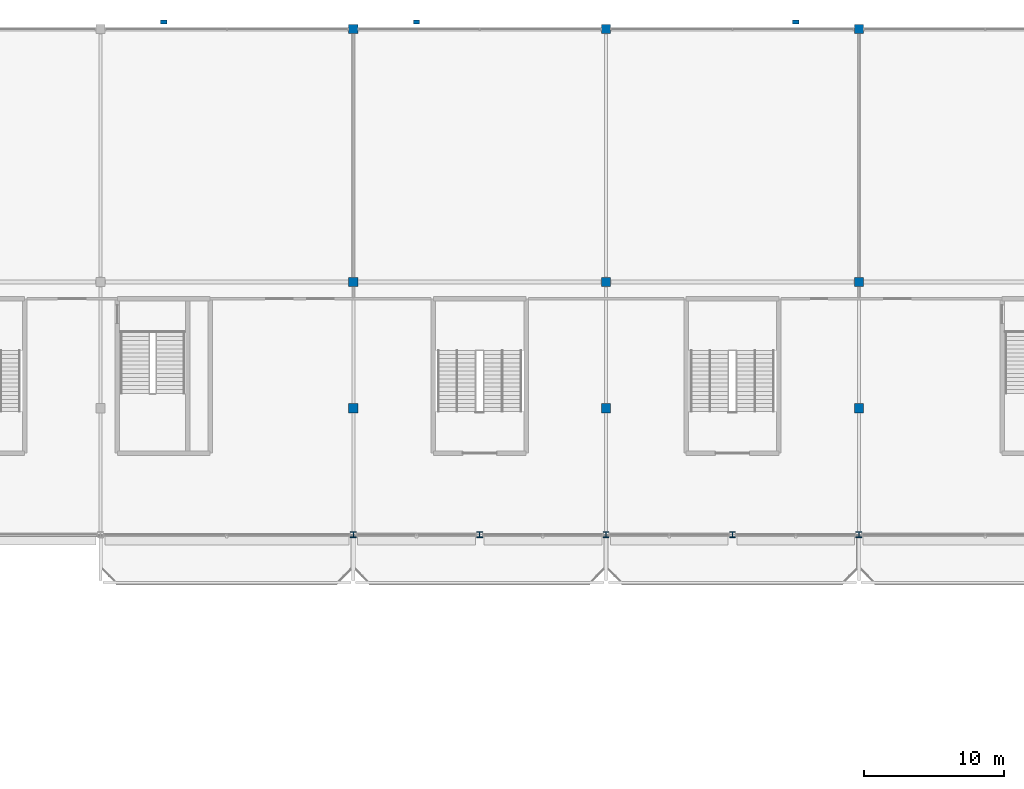
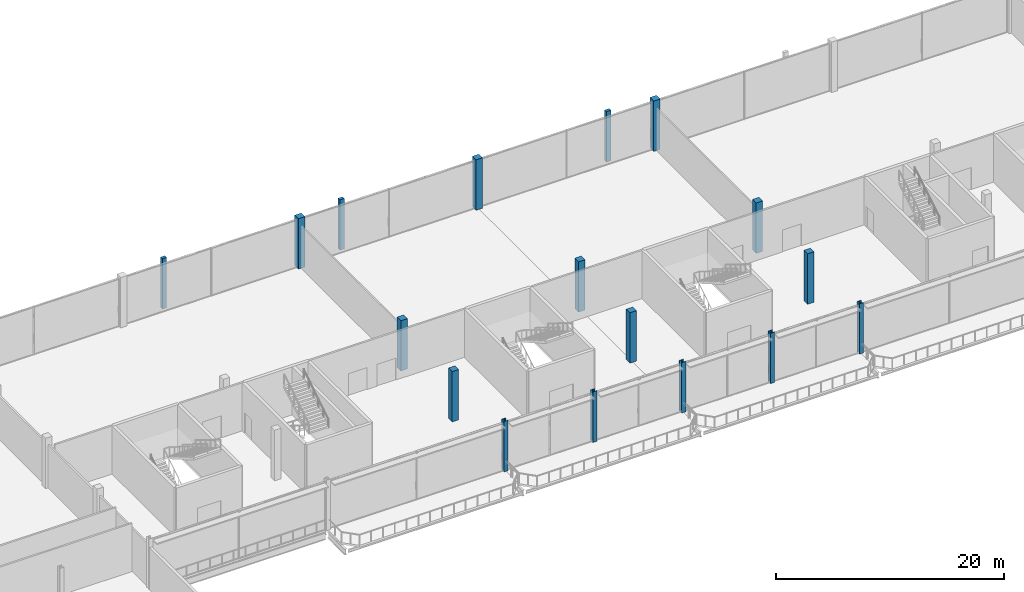
# One storey, part 6 of 113: 17 columns.
"""IFC4 building model written with IfcOpenShell, lengths in metres."""

from ifc_helpers import new_model, si_unit, direction, frame, origin, origin_2d, place, context, subcontext, project, spatial, rectangle, i_section, extrude, material, material_profile, profile_set, type_object, element, save


model = new_model("IFC4")

# Units and contexts
model_context = context("Model", 3, precision=1e-05, world=origin(), true_north=direction((0.0, 1.0)))
body_context = subcontext(model_context, "Body", "Model", "MODEL_VIEW")
ifc_project = project(units=[si_unit("LENGTHUNIT", "METRE"), si_unit("AREAUNIT", "SQUARE_METRE"), si_unit("VOLUMEUNIT", "CUBIC_METRE"), si_unit("PLANEANGLEUNIT", "RADIAN"), si_unit("MASSUNIT", "GRAM", prefix="KILO")], contexts=[model_context])

# Site, building, storey
site_placement = place(None, origin())
site = spatial("IfcSite", under=ifc_project, at=site_placement, CompositionType="ELEMENT")
building_placement = place(site_placement, origin())
building = spatial("IfcBuilding", under=site, at=building_placement, Name="Kisiwana Market Hall", CompositionType="ELEMENT")
storey_placement = place(building_placement, frame((0.0, 0.0, 6.0)))
storey = spatial("IfcBuildingStorey", under=building, at=storey_placement, Name="L01", CompositionType="ELEMENT", Elevation=6.0)

# Columns
ifc_material_1 = material(Name="Concrete C40/50", Category="concrete")
ifc_material_profile_1 = material_profile(ifc_material_1, rectangle(XDim=0.64990234375, YDim=0.64990234375, at=origin_2d()), Name="RC 650x650")
ifc_profile_set_1 = profile_set([ifc_material_profile_1], Name="Concrete C40/50")
column_type_1 = type_object("IfcColumnType", Name="COL-RC-POD-650", PredefinedType="COLUMN", material=ifc_profile_set_1)
for number, where, z_axis, x_axis, name in (
    (1, (81.0, 93.0, 0.0), (0.0, 0.0, 1.0), (1.0, 0.0, 0.0), "Column M/10 (L01) C-0418"),
    (2, (81.0, 102.0, 0.0), (0.0, 0.0, 1.0), (1.0, 0.0, 0.0), "Column N/10 (L01) C-0419"),
    (3, (81.0, 120.0, 0.0), (0.0, 0.0, 1.0), (1.0, 0.0, 0.0), "Column Q/10 (L01) C-0420"),
    (4, (99.0, 93.0, 0.0), (0.0, 0.0, 1.0), (1.0, 0.0, 0.0), "Column M/12 (L01) C-0428"),
    (5, (99.0, 102.0, 0.0), (0.0, 0.0, 1.0), (1.0, 0.0, 0.0), "Column N/12 (L01) C-0429"),
    (6, (99.0, 120.0, 0.0), (0.0, 0.0, 1.0), (1.0, 0.0, 0.0), "Column Q/12 (L01) C-0430"),
    (7, (117.0, 93.0, 0.0), (0.0, 0.0, 1.0), (1.0, 0.0, 0.0), "Column M/14 (L01) C-0438"),
    (8, (117.0, 102.0, 0.0), (0.0, 0.0, 1.0), (1.0, 0.0, 0.0), "Column N/14 (L01) C-0439"),
    (9, (117.0, 120.0, 0.0), (0.0, 0.0, 1.0), (1.0, 0.0, 0.0), "Column Q/14 (L01) C-0440"),
):
    element("IfcColumn", number, at=place(storey_placement, frame(where, z_axis=z_axis, x_axis=x_axis)), inside=storey, type_object=column_type_1, Name=name, PredefinedType="COLUMN", context=body_context, shape_type="SweptSolid", body=[
        extrude(rectangle(XDim=0.64990234375, YDim=0.64990234375, at=origin_2d()), origin(), (0.0, 0.0, 1.0), 5.39990234375),
    ])
ifc_material_2 = material(Name="Steel S355", Category="steel")
ifc_material_profile_2 = material_profile(ifc_material_2, i_section(OverallWidth=0.412109375, OverallDepth=0.43505859375, WebThickness=0.035888671875, FlangeThickness=0.05810546875, at=origin_2d()), Name="HD 400x463")
ifc_profile_set_2 = profile_set([ifc_material_profile_2], Name="Steel S355")
column_type_2 = type_object("IfcColumnType", Name="COL-STL-HD463", PredefinedType="COLUMN", material=ifc_profile_set_2)
for number, where, z_axis, x_axis, name in (
    (10, (81.0, 84.0, 0.0), (0.0, 0.0, 1.0), (1.0, 0.0, 0.0), "Column L/10 (L01) C-0417"),
    (11, (90.0, 84.0, 0.0), (0.0, 0.0, 1.0), (1.0, 0.0, 0.0), "Column L/11 (L01) C-0422"),
    (12, (99.0, 84.0, 0.0), (0.0, 0.0, 1.0), (1.0, 0.0, 0.0), "Column L/12 (L01) C-0427"),
    (13, (108.0, 84.0, 0.0), (0.0, 0.0, 1.0), (1.0, 0.0, 0.0), "Column L/13 (L01) C-0432"),
    (14, (117.0, 84.0, 0.0), (0.0, 0.0, 1.0), (1.0, 0.0, 0.0), "Column L/14 (L01) C-0437"),
):
    element("IfcColumn", number, at=place(storey_placement, frame(where, z_axis=z_axis, x_axis=x_axis)), inside=storey, type_object=column_type_2, Name=name, PredefinedType="COLUMN", context=body_context, shape_type="SweptSolid", body=[
        extrude(i_section(OverallWidth=0.412109375, OverallDepth=0.43505859375, WebThickness=0.035888671875, FlangeThickness=0.05810546875, at=origin_2d()), origin(), (0.0, 0.0, 1.0), 5.39990234375),
    ])
ifc_material_3 = material(Name="Concrete C40/50", Category="concrete")
ifc_material_profile_3 = material_profile(ifc_material_3, rectangle(XDim=0.449951171875, YDim=0.300048828125, at=origin_2d()), Name="PIL 450x300")
ifc_profile_set_3 = profile_set([ifc_material_profile_3], Name="Concrete C40/50")
column_type_3 = type_object("IfcColumnType", Name="PIL-CONC-450", PredefinedType="PILASTER", material=ifc_profile_set_3)
for number, where, z_axis, x_axis, name in (
    (15, (67.5, 120.5, 0.0), (0.0, 0.0, 1.0), (1.0, 0.0, 0.0), "Facade pilaster Q/8 (L01) C-0501"),
    (16, (85.5, 120.5, 0.0), (0.0, 0.0, 1.0), (1.0, 0.0, 0.0), "Facade pilaster Q/10 (L01) C-0502"),
    (17, (112.5, 120.5, 0.0), (0.0, 0.0, 1.0), (1.0, 0.0, 0.0), "Facade pilaster Q/13 (L01) C-0503"),
):
    element("IfcColumn", number, at=place(storey_placement, frame(where, z_axis=z_axis, x_axis=x_axis)), inside=storey, type_object=column_type_3, Name=name, PredefinedType="PILASTER", context=body_context, shape_type="SweptSolid", body=[
        extrude(rectangle(XDim=0.449951171875, YDim=0.300048828125, at=origin_2d()), origin(), (0.0, 0.0, 1.0), 5.39990234375),
    ])

save(model, "model.ifc")
